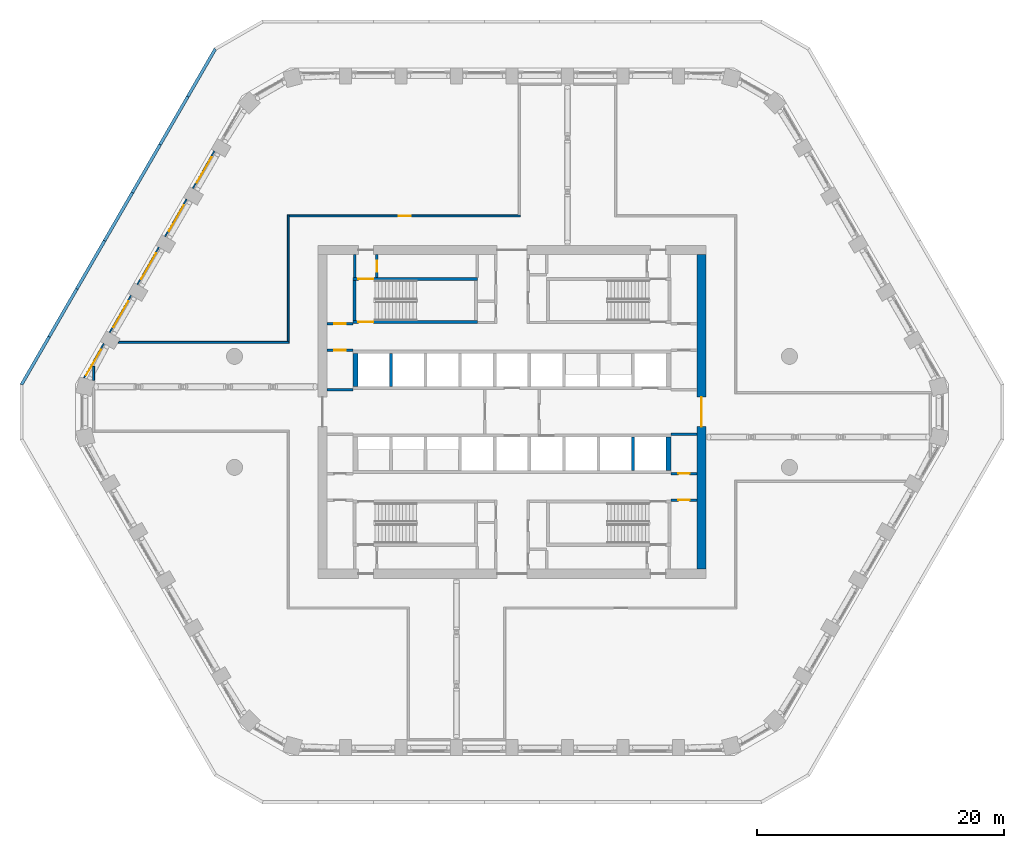
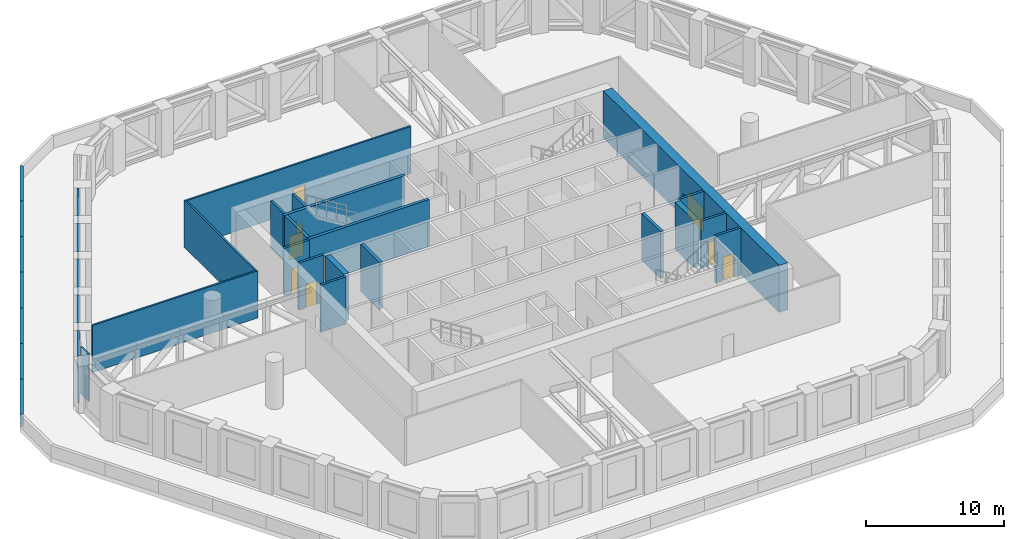
# One storey, part 8 of 18: 32 walls, 9 doors, 5 windows, 14 openings.
"""IFC4 building model written with IfcOpenShell, lengths in metres."""

from ifc_helpers import new_model, si_unit, direction, frame, frame_2d, origin, place, context, subcontext, project, spatial, polyline, rectangle, outline, extrude, material, layer, layer_set, type_object, element, fill, save


model = new_model("IFC4")

# Units and contexts
model_context = context("Model", 3, precision=1e-05, world=origin(), true_north=direction((0.0, 1.0)))
body_context = subcontext(model_context, "Body", "Model", "MODEL_VIEW")
ifc_project = project(units=[si_unit("LENGTHUNIT", "METRE"), si_unit("AREAUNIT", "SQUARE_METRE"), si_unit("VOLUMEUNIT", "CUBIC_METRE"), si_unit("PLANEANGLEUNIT", "RADIAN"), si_unit("MASSUNIT", "GRAM", prefix="KILO")], contexts=[model_context])

# Site, building, storey
site_placement = place(None, origin())
site = spatial("IfcSite", under=ifc_project, at=site_placement, CompositionType="ELEMENT")
building_placement = place(site_placement, origin())
building = spatial("IfcBuilding", under=site, at=building_placement, Name="Dhurran Vertical Campus", CompositionType="ELEMENT")
storey_placement = place(building_placement, frame((0.0, 0.0, 128.10009765625)))
storey = spatial("IfcBuildingStorey", under=building, at=storey_placement, Name="L31 Plant", CompositionType="ELEMENT", Elevation=128.10009765625)

# Wall, opening, window
ifc_material_1 = material(Name="Precast concrete C50/60", Category="concrete")
ifc_layer_1 = layer(ifc_material_1, 0.1201171875)
ifc_layer_set_1 = layer_set([ifc_layer_1], Name="Precast concrete C50/60")
wall_type_1 = type_object("IfcWallType", Name="Precast louvre-bay panel 120", PredefinedType="SOLIDWALL", material=ifc_layer_set_1)
wall_1_placement = place(storey_placement, frame((-24.13330078125, 21.149658203125, 0.0), z_axis=(0.0, 0.0, 1.0), x_axis=(-0.499996256241, -0.866027565234, 0.0)))
wall_1 = element("IfcWall", 1, at=wall_1_placement, inside=storey, type_object=wall_type_1, Name="EW4 L31.33", PredefinedType="SOLIDWALL", context=body_context, shape_type="SweptSolid", body=[
    extrude(rectangle(XDim=3.4990234375, YDim=0.1201171875, at=frame_2d((1.74951171875, 0.0))), origin(), (0.0, 0.0, 1.0), 4.1748046875),
])
opening_1_placement = place(wall_1_placement, frame((0.549560546875, 0.0, 0.60009765625)))
opening_1 = element("IfcOpeningElement", 2, at=opening_1_placement, cuts=wall_1, Name="Opening WT4", PredefinedType="OPENING", context=body_context, shape_type="SweptSolid", body=[
    extrude(rectangle(XDim=2.39990234375, YDim=3.0, at=frame_2d((1.199951171875, 1.5))), frame((0.0, 0.070068359375, 0.0), z_axis=(0.0, -1.0, 0.0), x_axis=(1.0, 0.0, 0.0)), (0.0, 0.0, 1.0), 0.14013671875),
])
ifc_material_2 = material(Name="Aluminium louvre", Category="aluminium")
window_type = type_object("IfcWindowType", Name="Louvred plant vent 2400 x 3000", PartitioningType="SINGLE_PANEL", PredefinedType="WINDOW", material=ifc_material_2)
window_1_placement = place(opening_1_placement, origin())
window_1 = element("IfcWindow", 3, at=window_1_placement, inside=storey, type_object=window_type, Name="WT4 L31.33", OverallHeight=3.0, OverallWidth=2.39990234375, PartitioningType="SINGLE_PANEL", PredefinedType="WINDOW", context=body_context, shape_type="SweptSolid", body=[
    extrude(rectangle(XDim=2.39990234375, YDim=3.0, at=frame_2d((1.199951171875, 1.5))), frame((0.0, 0.06005859375, 0.0), z_axis=(0.0, -1.0, 0.0), x_axis=(1.0, 0.0, 0.0)), (0.0, 0.0, 1.0), 0.02001953125),
])
fill(opening_1, window_1)

wall_2_placement = place(storey_placement, frame((-26.38330078125, 17.252685546875, 0.0), z_axis=(0.0, 0.0, 1.0), x_axis=(-0.499996256241, -0.866027565234, 0.0)))
wall_2 = element("IfcWall", 4, at=wall_2_placement, inside=storey, type_object=wall_type_1, Name="EW4 L31.34", PredefinedType="SOLIDWALL", context=body_context, shape_type="SweptSolid", body=[
    extrude(rectangle(XDim=3.4990234375, YDim=0.1201171875, at=frame_2d((1.74951171875, 0.0))), origin(), (0.0, 0.0, 1.0), 4.1748046875),
])
opening_2_placement = place(wall_2_placement, frame((0.549560546875, 0.0, 0.60009765625)))
opening_2 = element("IfcOpeningElement", 5, at=opening_2_placement, cuts=wall_2, Name="Opening WT4", PredefinedType="OPENING", context=body_context, shape_type="SweptSolid", body=[
    extrude(rectangle(XDim=2.39990234375, YDim=3.0, at=frame_2d((1.199951171875, 1.5))), frame((0.0, 0.070068359375, 0.0), z_axis=(0.0, -1.0, 0.0), x_axis=(1.0, 0.0, 0.0)), (0.0, 0.0, 1.0), 0.14013671875),
])
window_2_placement = place(opening_2_placement, origin())
window_2 = element("IfcWindow", 6, at=window_2_placement, inside=storey, type_object=window_type, Name="WT4 L31.34", OverallHeight=3.0, OverallWidth=2.39990234375, PartitioningType="SINGLE_PANEL", PredefinedType="WINDOW", context=body_context, shape_type="SweptSolid", body=[
    extrude(rectangle(XDim=2.39990234375, YDim=3.0, at=frame_2d((1.199951171875, 1.5))), frame((0.0, 0.06005859375, 0.0), z_axis=(0.0, -1.0, 0.0), x_axis=(1.0, 0.0, 0.0)), (0.0, 0.0, 1.0), 0.02001953125),
])
fill(opening_2, window_2)

wall_3_placement = place(storey_placement, frame((-28.63330078125, 13.35546875, 0.0), z_axis=(0.0, 0.0, 1.0), x_axis=(-0.499996256241, -0.866027565234, 0.0)))
wall_3 = element("IfcWall", 7, at=wall_3_placement, inside=storey, type_object=wall_type_1, Name="EW4 L31.35", PredefinedType="SOLIDWALL", context=body_context, shape_type="SweptSolid", body=[
    extrude(rectangle(XDim=3.4990234375, YDim=0.1201171875, at=frame_2d((1.74951171875, 0.0))), origin(), (0.0, 0.0, 1.0), 4.1748046875),
])
opening_3_placement = place(wall_3_placement, frame((0.549560546875, 0.0, 0.60009765625)))
opening_3 = element("IfcOpeningElement", 8, at=opening_3_placement, cuts=wall_3, Name="Opening WT4", PredefinedType="OPENING", context=body_context, shape_type="SweptSolid", body=[
    extrude(rectangle(XDim=2.39990234375, YDim=3.0, at=frame_2d((1.199951171875, 1.5))), frame((0.0, 0.070068359375, 0.0), z_axis=(0.0, -1.0, 0.0), x_axis=(1.0, 0.0, 0.0)), (0.0, 0.0, 1.0), 0.14013671875),
])
window_3_placement = place(opening_3_placement, origin())
window_3 = element("IfcWindow", 9, at=window_3_placement, inside=storey, type_object=window_type, Name="WT4 L31.35", OverallHeight=3.0, OverallWidth=2.39990234375, PartitioningType="SINGLE_PANEL", PredefinedType="WINDOW", context=body_context, shape_type="SweptSolid", body=[
    extrude(rectangle(XDim=2.39990234375, YDim=3.0, at=frame_2d((1.199951171875, 1.5))), frame((0.0, 0.06005859375, 0.0), z_axis=(0.0, -1.0, 0.0), x_axis=(1.0, 0.0, 0.0)), (0.0, 0.0, 1.0), 0.02001953125),
])
fill(opening_3, window_3)

wall_4_placement = place(storey_placement, frame((-30.88330078125, 9.45849609375, 0.0), z_axis=(0.0, 0.0, 1.0), x_axis=(-0.499996256241, -0.866027565234, 0.0)))
wall_4 = element("IfcWall", 10, at=wall_4_placement, inside=storey, type_object=wall_type_1, Name="EW4 L31.36", PredefinedType="SOLIDWALL", context=body_context, shape_type="SweptSolid", body=[
    extrude(rectangle(XDim=3.4990234375, YDim=0.1201171875, at=frame_2d((1.74951171875, 0.0))), origin(), (0.0, 0.0, 1.0), 4.1748046875),
])
opening_4_placement = place(wall_4_placement, frame((0.549560546875, 0.0, 0.60009765625)))
opening_4 = element("IfcOpeningElement", 11, at=opening_4_placement, cuts=wall_4, Name="Opening WT4", PredefinedType="OPENING", context=body_context, shape_type="SweptSolid", body=[
    extrude(rectangle(XDim=2.39990234375, YDim=3.0, at=frame_2d((1.199951171875, 1.5))), frame((0.0, 0.070068359375, 0.0), z_axis=(0.0, -1.0, 0.0), x_axis=(1.0, 0.0, 0.0)), (0.0, 0.0, 1.0), 0.14013671875),
])
window_4_placement = place(opening_4_placement, origin())
window_4 = element("IfcWindow", 12, at=window_4_placement, inside=storey, type_object=window_type, Name="WT4 L31.36", OverallHeight=3.0, OverallWidth=2.39990234375, PartitioningType="SINGLE_PANEL", PredefinedType="WINDOW", context=body_context, shape_type="SweptSolid", body=[
    extrude(rectangle(XDim=2.39990234375, YDim=3.0, at=frame_2d((1.199951171875, 1.5))), frame((0.0, 0.06005859375, 0.0), z_axis=(0.0, -1.0, 0.0), x_axis=(1.0, 0.0, 0.0)), (0.0, 0.0, 1.0), 0.02001953125),
])
fill(opening_4, window_4)

wall_5_placement = place(storey_placement, frame((-33.099609375, 5.541748046875, 0.0), z_axis=(0.0, 0.0, 1.0), x_axis=(-0.499974205047, -0.866040295995, 0.0)))
wall_5 = element("IfcWall", 13, at=wall_5_placement, inside=storey, type_object=wall_type_1, Name="EW4 L31.37", PredefinedType="SOLIDWALL", context=body_context, shape_type="SweptSolid", body=[
    extrude(rectangle(XDim=3.218017578125, YDim=0.1201171875, at=frame_2d((1.60888671875, 0.0))), origin(), (0.0, 0.0, 1.0), 4.1748046875),
])
opening_5_placement = place(wall_5_placement, frame((0.549560546875, 0.0, 0.60009765625)))
opening_5 = element("IfcOpeningElement", 14, at=opening_5_placement, cuts=wall_5, Name="Opening WT4", PredefinedType="OPENING", context=body_context, shape_type="SweptSolid", body=[
    extrude(rectangle(XDim=2.39990234375, YDim=3.0, at=frame_2d((1.199951171875, 1.5))), frame((0.0, 0.070068359375, 0.0), z_axis=(0.0, -1.0, 0.0), x_axis=(1.0, 0.0, 0.0)), (0.0, 0.0, 1.0), 0.14013671875),
])
window_5_placement = place(opening_5_placement, origin())
window_5 = element("IfcWindow", 15, at=window_5_placement, inside=storey, type_object=window_type, Name="WT4 L31.37", OverallHeight=3.0, OverallWidth=2.39990234375, PartitioningType="SINGLE_PANEL", PredefinedType="WINDOW", context=body_context, shape_type="SweptSolid", body=[
    extrude(rectangle(XDim=2.39990234375, YDim=3.0, at=frame_2d((1.199951171875, 1.5))), frame((0.0, 0.06005859375, 0.0), z_axis=(0.0, -1.0, 0.0), x_axis=(1.0, 0.0, 0.0)), (0.0, 0.0, 1.0), 0.02001953125),
])
fill(opening_5, window_5)

# Walls
ifc_material_3 = material(Name="Precast concrete C50/60", Category="concrete")
ifc_layer_2 = layer(ifc_material_3, 0.25)
ifc_layer_set_2 = layer_set([ifc_layer_2], Name="Precast concrete C50/60")
wall_type_2 = type_object("IfcWallType", Name="Precast parapet 250", PredefinedType="PARAPET", material=ifc_layer_set_2)
wall_6_placement = place(storey_placement, origin())
element("IfcWall", 16, at=wall_6_placement, inside=storey, type_object=wall_type_2, Name="PW1 L31.36", PredefinedType="PARAPET", context=body_context, shape_type="SweptSolid", body=[
    extrude(outline(polyline([(-24.147216796875, 29.52978515625), (-26.397216796875, 25.6328125), (-26.1806640625, 25.5078125), (-23.964111328125, 29.3466796875), (-24.147216796875, 29.52978515625)])), origin(), (0.0, 0.0, 1.0), 1.099853515625),
])
wall_7_placement = place(storey_placement, origin())
element("IfcWall", 17, at=wall_7_placement, inside=storey, type_object=wall_type_2, Name="PW1 L31.37", PredefinedType="PARAPET", context=body_context, shape_type="SweptSolid", body=[
    extrude(outline(polyline([(-26.397216796875, 25.6328125), (-28.647216796875, 21.735595703125), (-28.4306640625, 21.610595703125), (-26.1806640625, 25.5078125), (-26.397216796875, 25.6328125)])), origin(), (0.0, 0.0, 1.0), 1.099853515625),
])
wall_8_placement = place(storey_placement, origin())
element("IfcWall", 18, at=wall_8_placement, inside=storey, type_object=wall_type_2, Name="PW1 L31.38", PredefinedType="PARAPET", context=body_context, shape_type="SweptSolid", body=[
    extrude(outline(polyline([(-28.647216796875, 21.735595703125), (-30.897216796875, 17.83837890625), (-30.6806640625, 17.71337890625), (-28.4306640625, 21.610595703125), (-28.647216796875, 21.735595703125)])), origin(), (0.0, 0.0, 1.0), 1.099853515625),
])
wall_9_placement = place(storey_placement, origin())
element("IfcWall", 19, at=wall_9_placement, inside=storey, type_object=wall_type_2, Name="PW1 L31.39", PredefinedType="PARAPET", context=body_context, shape_type="SweptSolid", body=[
    extrude(outline(polyline([(-30.897216796875, 17.83837890625), (-33.147216796875, 13.94140625), (-32.9306640625, 13.81640625), (-30.6806640625, 17.71337890625), (-30.897216796875, 17.83837890625)])), origin(), (0.0, 0.0, 1.0), 1.099853515625),
])
wall_10_placement = place(storey_placement, origin())
element("IfcWall", 20, at=wall_10_placement, inside=storey, type_object=wall_type_2, Name="PW1 L31.40", PredefinedType="PARAPET", context=body_context, shape_type="SweptSolid", body=[
    extrude(outline(polyline([(-33.147216796875, 13.94140625), (-35.397216796875, 10.044189453125), (-35.1806640625, 9.919189453125), (-32.9306640625, 13.81640625), (-33.147216796875, 13.94140625)])), origin(), (0.0, 0.0, 1.0), 1.099853515625),
])
wall_11_placement = place(storey_placement, origin())
element("IfcWall", 21, at=wall_11_placement, inside=storey, type_object=wall_type_2, Name="PW1 L31.41", PredefinedType="PARAPET", context=body_context, shape_type="SweptSolid", body=[
    extrude(outline(polyline([(-35.397216796875, 10.044189453125), (-37.647216796875, 6.147216796875), (-37.4306640625, 6.022216796875), (-35.1806640625, 9.919189453125), (-35.397216796875, 10.044189453125)])), origin(), (0.0, 0.0, 1.0), 1.099853515625),
])
wall_12_placement = place(storey_placement, origin())
element("IfcWall", 22, at=wall_12_placement, inside=storey, type_object=wall_type_2, Name="PW1 L31.42", PredefinedType="PARAPET", context=body_context, shape_type="SweptSolid", body=[
    extrude(outline(polyline([(-37.647216796875, 6.147216796875), (-39.897216796875, 2.25), (-39.647216796875, 2.18310546875), (-37.4306640625, 6.022216796875), (-37.647216796875, 6.147216796875)])), origin(), (0.0, 0.0, 1.0), 1.099853515625),
])

# Wall, opening, door
ifc_material_4 = material(Name="Concrete C60/75", Category="concrete")
ifc_layer_3 = layer(ifc_material_4, 0.75)
ifc_layer_set_3 = layer_set([ifc_layer_3], Name="Concrete C60/75")
wall_type_3 = type_object("IfcWallType", Name="co-CORE-WALL-C1-750", PredefinedType="SHEAR", material=ifc_layer_set_3)
wall_13_placement = place(storey_placement, frame((15.375, -12.75, 0.0), z_axis=(0.0, 0.0, 1.0), x_axis=(0.0, 1.0, 0.0)))
wall_13 = element("IfcWall", 23, at=wall_13_placement, inside=storey, type_object=wall_type_3, Name="Core wall E L31", PredefinedType="SHEAR", context=body_context, shape_type="SweptSolid", body=[
    extrude(rectangle(XDim=25.5, YDim=0.75, at=frame_2d((12.75, 0.0))), origin(), (0.0, 0.0, 1.0), 4.1748046875),
])
opening_6_placement = place(wall_13_placement, frame((11.550048828125, 0.0, 0.0)))
opening_6 = element("IfcOpeningElement", 24, at=opening_6_placement, cuts=wall_13, Name="Opening CL2", PredefinedType="OPENING", context=body_context, shape_type="SweptSolid", body=[
    extrude(rectangle(XDim=2.39990234375, YDim=2.10009765625, at=frame_2d((1.199951171875, 1.050048828125))), frame((0.0, 0.385009765625, 0.0), z_axis=(0.0, -1.0, 0.0), x_axis=(1.0, 0.0, 0.0)), (0.0, 0.0, 1.0), 0.77001953125),
])
ifc_material_5 = material(Name="Fire-rated glazed door set")
door_type_1 = type_object("IfcDoorType", Name="co-D-LOBBY 2400x2100", OperationType="DOUBLE_DOOR_DOUBLE_SWING", PredefinedType="DOOR", material=ifc_material_5)
door_1_placement = place(opening_6_placement, origin())
door_1 = element("IfcDoor", 25, at=door_1_placement, inside=storey, type_object=door_type_1, Name="Lift lobby door E L31", OperationType="DOUBLE_DOOR_DOUBLE_SWING", OverallHeight=2.10009765625, OverallWidth=2.39990234375, PredefinedType="DOOR", context=body_context, shape_type="SweptSolid", body=[
    extrude(rectangle(XDim=2.39990234375, YDim=2.10009765625, at=frame_2d((1.199951171875, 1.050048828125))), frame((0.0, 0.02490234375, 0.0), z_axis=(0.0, -1.0, 0.0), x_axis=(1.0, 0.0, 0.0)), (0.0, 0.0, 1.0), 0.050048828125),
])
fill(opening_6, door_1)

# Wall
ifc_material_6 = material(Name="Fire-rated masonry blockwork", Category="masonry")
ifc_layer_4 = layer(ifc_material_6, 0.199951171875)
ifc_layer_set_4 = layer_set([ifc_layer_4], Name="Fire-rated masonry blockwork")
wall_type_4 = type_object("IfcWallType", Name="co-FIRE-PARTITION-200", PredefinedType="PARTITIONING", material=ifc_layer_set_4)
wall_14_placement = place(storey_placement, frame((-12.75, 10.89990234375, 0.0), z_axis=(0.0, 0.0, 1.0), x_axis=(0.0, 1.0, 0.0)))
element("IfcWall", 26, at=wall_14_placement, inside=storey, type_object=wall_type_4, Name="Core partition pass-ST1-o L31", PredefinedType="PARTITIONING", context=body_context, shape_type="SweptSolid", body=[
    extrude(rectangle(XDim=1.85009765625, YDim=0.199951171875, at=frame_2d((0.925048828125, 0.0))), origin(), (0.0, 0.0, 1.0), 4.1748046875),
])

# Wall, opening, door
wall_15_placement = place(storey_placement, frame((-10.949951171875, 10.89990234375, 0.0), z_axis=(0.0, 0.0, 1.0), x_axis=(0.0, 1.0, 0.0)))
wall_15 = element("IfcWall", 27, at=wall_15_placement, inside=storey, type_object=wall_type_4, Name="Core partition pass-ST1-i L31", PredefinedType="PARTITIONING", context=body_context, shape_type="SweptSolid", body=[
    extrude(rectangle(XDim=1.85009765625, YDim=0.199951171875, at=frame_2d((0.925048828125, 0.0))), origin(), (0.0, 0.0, 1.0), 4.1748046875),
])
opening_7_placement = place(wall_15_placement, frame((0.47509765625, 0.0, 0.0)))
opening_7 = element("IfcOpeningElement", 28, at=opening_7_placement, cuts=wall_15, Name="Opening BR31-C9", PredefinedType="OPENING", context=body_context, shape_type="SweptSolid", body=[
    extrude(rectangle(XDim=0.89990234375, YDim=2.10009765625, at=frame_2d((0.449951171875, 1.050048828125))), frame((0.0, 0.10986328125, 0.0), z_axis=(0.0, -1.0, 0.0), x_axis=(1.0, 0.0, 0.0)), (0.0, 0.0, 1.0), 0.219970703125),
])
ifc_material_7 = material(Name="Fire-rated timber door set", Category="wood")
door_type_2 = type_object("IfcDoorType", Name="co-D-ROOM 900x2100", OperationType="SINGLE_SWING_LEFT", PredefinedType="DOOR", material=ifc_material_7)
door_2_placement = place(opening_7_placement, origin())
door_2 = element("IfcDoor", 29, at=door_2_placement, inside=storey, type_object=door_type_2, Name="Riser room door L31", OperationType="SINGLE_SWING_LEFT", OverallHeight=2.10009765625, OverallWidth=0.89990234375, PredefinedType="DOOR", context=body_context, shape_type="SweptSolid", body=[
    extrude(rectangle(XDim=0.89990234375, YDim=2.10009765625, at=frame_2d((0.449951171875, 1.050048828125))), frame((0.0, 0.02490234375, 0.0), z_axis=(0.0, -1.0, 0.0), x_axis=(1.0, 0.0, 0.0)), (0.0, 0.0, 1.0), 0.050048828125),
])
fill(opening_7, door_2)

wall_16_placement = place(storey_placement, frame((-15.0, 7.14990234375, 0.0), z_axis=(0.0, 0.0, 1.0), x_axis=(1.0, 0.0, 0.0)))
wall_16 = element("IfcWall", 30, at=wall_16_placement, inside=storey, type_object=wall_type_4, Name="Core partition en-NW-w L31", PredefinedType="PARTITIONING", context=body_context, shape_type="SweptSolid", body=[
    extrude(rectangle(XDim=2.10009765625, YDim=0.199951171875, at=frame_2d((1.050048828125, 0.0))), origin(), (0.0, 0.0, 1.0), 4.1748046875),
])
opening_8_placement = place(wall_16_placement, frame((0.60009765625, 0.0, 0.0)))
opening_8 = element("IfcOpeningElement", 31, at=opening_8_placement, cuts=wall_16, Name="Opening BR31-C13", PredefinedType="OPENING", context=body_context, shape_type="SweptSolid", body=[
    extrude(rectangle(XDim=0.89990234375, YDim=2.10009765625, at=frame_2d((0.449951171875, 1.050048828125))), frame((0.0, 0.10986328125, 0.0), z_axis=(0.0, -1.0, 0.0), x_axis=(1.0, 0.0, 0.0)), (0.0, 0.0, 1.0), 0.219970703125),
])
door_3_placement = place(opening_8_placement, origin())
door_3 = element("IfcDoor", 32, at=door_3_placement, inside=storey, type_object=door_type_2, Name="Pump room door L31", OperationType="SINGLE_SWING_LEFT", OverallHeight=2.10009765625, OverallWidth=0.89990234375, PredefinedType="DOOR", context=body_context, shape_type="SweptSolid", body=[
    extrude(rectangle(XDim=0.89990234375, YDim=2.10009765625, at=frame_2d((0.449951171875, 1.050048828125))), frame((0.0, 0.02490234375, 0.0), z_axis=(0.0, -1.0, 0.0), x_axis=(1.0, 0.0, 0.0)), (0.0, 0.0, 1.0), 0.050048828125),
])
fill(opening_8, door_3)

wall_17_placement = place(storey_placement, frame((-15.0, 5.0, 0.0), z_axis=(0.0, 0.0, 1.0), x_axis=(1.0, 0.0, 0.0)))
wall_17 = element("IfcWall", 33, at=wall_17_placement, inside=storey, type_object=wall_type_4, Name="Core partition es-NW-w L31", PredefinedType="PARTITIONING", context=body_context, shape_type="SweptSolid", body=[
    extrude(rectangle(XDim=2.10009765625, YDim=0.199951171875, at=frame_2d((1.050048828125, 0.0))), origin(), (0.0, 0.0, 1.0), 4.1748046875),
])
opening_9_placement = place(wall_17_placement, frame((0.60009765625, 0.0, 0.0)))
opening_9 = element("IfcOpeningElement", 34, at=opening_9_placement, cuts=wall_17, Name="Opening BR31-C14", PredefinedType="OPENING", context=body_context, shape_type="SweptSolid", body=[
    extrude(rectangle(XDim=0.89990234375, YDim=2.10009765625, at=frame_2d((0.449951171875, 1.050048828125))), frame((0.0, 0.10986328125, 0.0), z_axis=(0.0, -1.0, 0.0), x_axis=(1.0, 0.0, 0.0)), (0.0, 0.0, 1.0), 0.219970703125),
])
door_4_placement = place(opening_9_placement, origin())
door_4 = element("IfcDoor", 35, at=door_4_placement, inside=storey, type_object=door_type_2, Name="Air handling plant room door L31", OperationType="SINGLE_SWING_LEFT", OverallHeight=2.10009765625, OverallWidth=0.89990234375, PredefinedType="DOOR", context=body_context, shape_type="SweptSolid", body=[
    extrude(rectangle(XDim=0.89990234375, YDim=2.10009765625, at=frame_2d((0.449951171875, 1.050048828125))), frame((0.0, 0.02490234375, 0.0), z_axis=(0.0, -1.0, 0.0), x_axis=(1.0, 0.0, 0.0)), (0.0, 0.0, 1.0), 0.050048828125),
])
fill(opening_9, door_4)

# Wall
wall_18_placement = place(storey_placement, frame((-15.0, 1.800048828125, 0.0), z_axis=(0.0, 0.0, 1.0), x_axis=(1.0, 0.0, 0.0)))
element("IfcWall", 36, at=wall_18_placement, inside=storey, type_object=wall_type_4, Name="Core partition es-NW-l L31", PredefinedType="PARTITIONING", context=body_context, shape_type="SweptSolid", body=[
    extrude(rectangle(XDim=2.10009765625, YDim=0.199951171875, at=frame_2d((1.050048828125, 0.0))), origin(), (0.0, 0.0, 1.0), 4.1748046875),
])

# Wall, opening, door
wall_19_placement = place(storey_placement, frame((12.89990234375, -7.14990234375, 0.0), z_axis=(0.0, 0.0, 1.0), x_axis=(1.0, 0.0, 0.0)))
wall_19 = element("IfcWall", 37, at=wall_19_placement, inside=storey, type_object=wall_type_4, Name="Core partition en-SE-w L31", PredefinedType="PARTITIONING", context=body_context, shape_type="SweptSolid", body=[
    extrude(rectangle(XDim=2.10009765625, YDim=0.199951171875, at=frame_2d((1.050048828125, 0.0))), origin(), (0.0, 0.0, 1.0), 4.1748046875),
])
opening_10_placement = place(wall_19_placement, frame((0.60009765625, 0.0, 0.0)))
opening_10 = element("IfcOpeningElement", 38, at=opening_10_placement, cuts=wall_19, Name="Opening BR31-C19", PredefinedType="OPENING", context=body_context, shape_type="SweptSolid", body=[
    extrude(rectangle(XDim=0.89990234375, YDim=2.10009765625, at=frame_2d((0.449951171875, 1.050048828125))), frame((0.0, 0.10986328125, 0.0), z_axis=(0.0, -1.0, 0.0), x_axis=(1.0, 0.0, 0.0)), (0.0, 0.0, 1.0), 0.219970703125),
])
door_5_placement = place(opening_10_placement, origin())
door_5 = element("IfcDoor", 39, at=door_5_placement, inside=storey, type_object=door_type_2, Name="Refuge area door L31", OperationType="SINGLE_SWING_LEFT", OverallHeight=2.10009765625, OverallWidth=0.89990234375, PredefinedType="DOOR", context=body_context, shape_type="SweptSolid", body=[
    extrude(rectangle(XDim=0.89990234375, YDim=2.10009765625, at=frame_2d((0.449951171875, 1.050048828125))), frame((0.0, 0.02490234375, 0.0), z_axis=(0.0, -1.0, 0.0), x_axis=(1.0, 0.0, 0.0)), (0.0, 0.0, 1.0), 0.050048828125),
])
fill(opening_10, door_5)

wall_20_placement = place(storey_placement, frame((12.89990234375, -5.0, 0.0), z_axis=(0.0, 0.0, 1.0), x_axis=(1.0, 0.0, 0.0)))
wall_20 = element("IfcWall", 40, at=wall_20_placement, inside=storey, type_object=wall_type_4, Name="Core partition es-SE-w L31", PredefinedType="PARTITIONING", context=body_context, shape_type="SweptSolid", body=[
    extrude(rectangle(XDim=2.10009765625, YDim=0.199951171875, at=frame_2d((1.050048828125, 0.0))), origin(), (0.0, 0.0, 1.0), 4.1748046875),
])
opening_11_placement = place(wall_20_placement, frame((0.60009765625, 0.0, 0.0)))
opening_11 = element("IfcOpeningElement", 41, at=opening_11_placement, cuts=wall_20, Name="Opening BR31-C20", PredefinedType="OPENING", context=body_context, shape_type="SweptSolid", body=[
    extrude(rectangle(XDim=0.89990234375, YDim=2.10009765625, at=frame_2d((0.449951171875, 1.050048828125))), frame((0.0, 0.10986328125, 0.0), z_axis=(0.0, -1.0, 0.0), x_axis=(1.0, 0.0, 0.0)), (0.0, 0.0, 1.0), 0.219970703125),
])
door_6_placement = place(opening_11_placement, origin())
door_6 = element("IfcDoor", 42, at=door_6_placement, inside=storey, type_object=door_type_2, Name="Sprinkler valve room door L31", OperationType="SINGLE_SWING_LEFT", OverallHeight=2.10009765625, OverallWidth=0.89990234375, PredefinedType="DOOR", context=body_context, shape_type="SweptSolid", body=[
    extrude(rectangle(XDim=0.89990234375, YDim=2.10009765625, at=frame_2d((0.449951171875, 1.050048828125))), frame((0.0, 0.02490234375, 0.0), z_axis=(0.0, -1.0, 0.0), x_axis=(1.0, 0.0, 0.0)), (0.0, 0.0, 1.0), 0.050048828125),
])
fill(opening_11, door_6)

# Walls
wall_21_placement = place(storey_placement, frame((12.89990234375, -1.800048828125, 0.0), z_axis=(0.0, 0.0, 1.0), x_axis=(1.0, 0.0, 0.0)))
element("IfcWall", 43, at=wall_21_placement, inside=storey, type_object=wall_type_4, Name="Core partition es-SE-l L31", PredefinedType="PARTITIONING", context=body_context, shape_type="SweptSolid", body=[
    extrude(rectangle(XDim=2.10009765625, YDim=0.199951171875, at=frame_2d((1.050048828125, 0.0))), origin(), (0.0, 0.0, 1.0), 4.1748046875),
])
ifc_material_8 = material(Name="Concrete C50/60", Category="concrete")
ifc_layer_5 = layer(ifc_material_8, 0.25)
ifc_layer_set_5 = layer_set([ifc_layer_5], Name="Concrete C50/60")
wall_type_5 = type_object("IfcWallType", Name="co-SHAFT-MASS-250", PredefinedType="SHEAR", material=ifc_layer_set_5)
wall_22_placement = place(storey_placement, origin())
element("IfcWall", 44, at=wall_22_placement, inside=storey, type_object=wall_type_5, Name="Lift shaft wall N L31 2", PredefinedType="SHEAR", context=body_context, shape_type="SweptSolid", body=[
    extrude(outline(polyline([(-12.89990234375, 2.050048828125), (-12.47509765625, 2.050048828125), (-12.47509765625, 4.75), (-12.89990234375, 4.75), (-12.89990234375, 2.050048828125)])), origin(), (0.0, 0.0, 1.0), 4.1748046875),
])
wall_23_placement = place(storey_placement, origin())
element("IfcWall", 45, at=wall_23_placement, inside=storey, type_object=wall_type_5, Name="Lift shaft wall N L31 3", PredefinedType="SHEAR", context=body_context, shape_type="SweptSolid", body=[
    extrude(outline(polyline([(-9.925048828125, 2.050048828125), (-9.675048828125, 2.050048828125), (-9.675048828125, 4.75), (-9.925048828125, 4.75), (-9.925048828125, 2.050048828125)])), origin(), (0.0, 0.0, 1.0), 4.1748046875),
])
wall_24_placement = place(storey_placement, origin())
element("IfcWall", 46, at=wall_24_placement, inside=storey, type_object=wall_type_5, Name="Lift shaft wall S L31 10", PredefinedType="SHEAR", context=body_context, shape_type="SweptSolid", body=[
    extrude(outline(polyline([(9.675048828125, -4.75), (9.925048828125, -4.75), (9.925048828125, -2.050048828125), (9.675048828125, -2.050048828125), (9.675048828125, -4.75)])), origin(), (0.0, 0.0, 1.0), 4.1748046875),
])
wall_25_placement = place(storey_placement, origin())
element("IfcWall", 47, at=wall_25_placement, inside=storey, type_object=wall_type_5, Name="Lift shaft wall S L31 11", PredefinedType="SHEAR", context=body_context, shape_type="SweptSolid", body=[
    extrude(outline(polyline([(12.47509765625, -4.75), (12.89990234375, -4.75), (12.89990234375, -2.050048828125), (12.47509765625, -2.050048828125), (12.47509765625, -4.75)])), origin(), (0.0, 0.0, 1.0), 4.1748046875),
])

# Wall, opening, door
ifc_material_9 = material(Name="Concrete C40/50", Category="concrete")
ifc_layer_6 = layer(ifc_material_9, 0.25)
ifc_layer_set_6 = layer_set([ifc_layer_6], Name="Concrete C40/50")
wall_type_6 = type_object("IfcWallType", Name="co-STAIR-WALL-250", PredefinedType="SHEAR", material=ifc_layer_set_6)
wall_26_placement = place(storey_placement, frame((-12.89990234375, 7.27490234375, 0.0), z_axis=(0.0, 0.0, 1.0), x_axis=(1.0, 0.0, 0.0)))
wall_26 = element("IfcWall", 48, at=wall_26_placement, inside=storey, type_object=wall_type_6, Name="Stair ST1 enclosure wall L31", PredefinedType="SHEAR", context=body_context, shape_type="SweptSolid", body=[
    extrude(rectangle(XDim=10.099853515625, YDim=0.25, at=frame_2d((5.0498046875, 0.0))), origin(), (0.0, 0.0, 1.0), 4.1748046875),
])
opening_12_placement = place(wall_26_placement, frame((0.449951171875, 0.0, 0.0)))
opening_12 = element("IfcOpeningElement", 49, at=opening_12_placement, cuts=wall_26, Name="Opening SD1", PredefinedType="OPENING", context=body_context, shape_type="SweptSolid", body=[
    extrude(rectangle(XDim=1.199951171875, YDim=2.10009765625, at=frame_2d((0.60009765625, 1.050048828125))), frame((0.0, 0.135009765625, 0.0), z_axis=(0.0, -1.0, 0.0), x_axis=(1.0, 0.0, 0.0)), (0.0, 0.0, 1.0), 0.27001953125),
])
ifc_material_10 = material(Name="Fire-rated steel door set", Category="steel")
door_type_3 = type_object("IfcDoorType", Name="co-D-STAIR 1200x2100", OperationType="SINGLE_SWING_LEFT", PredefinedType="DOOR", material=ifc_material_10)
door_7_placement = place(opening_12_placement, origin())
door_7 = element("IfcDoor", 50, at=door_7_placement, inside=storey, type_object=door_type_3, Name="Stair ST1 door L31", OperationType="SINGLE_SWING_LEFT", OverallHeight=2.10009765625, OverallWidth=1.199951171875, PredefinedType="DOOR", context=body_context, shape_type="SweptSolid", body=[
    extrude(rectangle(XDim=1.199951171875, YDim=2.10009765625, at=frame_2d((0.60009765625, 1.050048828125))), frame((0.0, 0.02490234375, 0.0), z_axis=(0.0, -1.0, 0.0), x_axis=(1.0, 0.0, 0.0)), (0.0, 0.0, 1.0), 0.050048828125),
])
fill(opening_12, door_7)

wall_27_placement = place(storey_placement, frame((-12.89990234375, 10.77490234375, 0.0), z_axis=(0.0, 0.0, 1.0), x_axis=(1.0, 0.0, 0.0)))
wall_27 = element("IfcWall", 51, at=wall_27_placement, inside=storey, type_object=wall_type_6, Name="Stair ST1 enclosure wall L31", PredefinedType="SHEAR", context=body_context, shape_type="SweptSolid", body=[
    extrude(rectangle(XDim=10.099853515625, YDim=0.25, at=frame_2d((5.0498046875, 0.0))), origin(), (0.0, 0.0, 1.0), 4.1748046875),
])
opening_13_placement = place(wall_27_placement, frame((0.449951171875, 0.0, 0.0)))
opening_13 = element("IfcOpeningElement", 52, at=opening_13_placement, cuts=wall_27, Name="Opening XS1", PredefinedType="OPENING", context=body_context, shape_type="SweptSolid", body=[
    extrude(rectangle(XDim=1.199951171875, YDim=2.10009765625, at=frame_2d((0.60009765625, 1.050048828125))), frame((0.0, 0.135009765625, 0.0), z_axis=(0.0, -1.0, 0.0), x_axis=(1.0, 0.0, 0.0)), (0.0, 0.0, 1.0), 0.27001953125),
])
ifc_material_11 = material(Name="Fire-rated steel door set", Category="steel")
door_type_4 = type_object("IfcDoorType", Name="co-D-STAIR-EXIT 1200x2100", OperationType="SINGLE_SWING_RIGHT", PredefinedType="DOOR", material=ifc_material_11)
door_8_placement = place(opening_13_placement, origin())
door_8 = element("IfcDoor", 53, at=door_8_placement, inside=storey, type_object=door_type_4, Name="Stair ST1 discharge door L31", OperationType="SINGLE_SWING_RIGHT", OverallHeight=2.10009765625, OverallWidth=1.199951171875, PredefinedType="DOOR", context=body_context, shape_type="SweptSolid", body=[
    extrude(rectangle(XDim=1.199951171875, YDim=2.10009765625, at=frame_2d((0.60009765625, 1.050048828125))), frame((0.0, 0.02490234375, 0.0), z_axis=(0.0, -1.0, 0.0), x_axis=(1.0, 0.0, 0.0)), (0.0, 0.0, 1.0), 0.050048828125),
])
fill(opening_13, door_8)

# Walls
wall_28_placement = place(storey_placement, frame((-12.77490234375, 7.39990234375, 0.0), z_axis=(0.0, 0.0, 1.0), x_axis=(0.0, 1.0, 0.0)))
element("IfcWall", 54, at=wall_28_placement, inside=storey, type_object=wall_type_6, Name="Stair ST1 enclosure wall L31", PredefinedType="SHEAR", context=body_context, shape_type="SweptSolid", body=[
    extrude(rectangle(XDim=3.25, YDim=0.25, at=frame_2d((1.625, 0.0))), origin(), (0.0, 0.0, 1.0), 4.1748046875),
])
ifc_material_12 = material(Name="Gypsum board corridor wall on steel studs", Category="steel")
ifc_layer_7 = layer(ifc_material_12, 0.14990234375)
ifc_layer_set_7 = layer_set([ifc_layer_7], Name="Gypsum board corridor wall on steel studs")
wall_type_7 = type_object("IfcWallType", Name="fl-CW-150 corridor wall", PredefinedType="PARTITIONING", material=ifc_layer_set_7)
wall_29_placement = place(storey_placement, frame((-33.927978515625, 2.550048828125, 0.0), z_axis=(0.0, 0.0, 1.0), x_axis=(0.0, 1.0, 0.0)))
element("IfcWall", 55, at=wall_29_placement, inside=storey, type_object=wall_type_7, Name="Partition 31-02", PredefinedType="PARTITIONING", context=body_context, shape_type="SweptSolid", body=[
    extrude(rectangle(XDim=1.14501953125, YDim=0.14990234375, at=frame_2d((0.572509765625, 0.0))), origin(), (0.0, 0.0, 1.0), 4.1748046875),
])
wall_30_placement = place(storey_placement, frame((-31.91748046875, 5.636962890625, 0.0), z_axis=(0.0, 0.0, 1.0), x_axis=(1.0, 0.0, 0.0)))
element("IfcWall", 56, at=wall_30_placement, inside=storey, type_object=wall_type_7, Name="Partition 31-04", PredefinedType="PARTITIONING", context=body_context, shape_type="SweptSolid", body=[
    extrude(rectangle(XDim=13.842529296875, YDim=0.14990234375, at=frame_2d((6.92138671875, 0.0))), origin(), (0.0, 0.0, 1.0), 4.1748046875),
])
wall_31_placement = place(storey_placement, frame((-18.14990234375, 15.97509765625, 0.0), z_axis=(0.0, 0.0, 1.0), x_axis=(0.0, -1.0, 0.0)))
element("IfcWall", 57, at=wall_31_placement, inside=storey, type_object=wall_type_7, Name="Partition 31-07", PredefinedType="PARTITIONING", context=body_context, shape_type="SweptSolid", body=[
    extrude(rectangle(XDim=10.26318359375, YDim=0.14990234375, at=frame_2d((5.131591796875, 0.0))), origin(), (0.0, 0.0, 1.0), 4.1748046875),
])

# Wall, opening, door
wall_32_placement = place(storey_placement, frame((0.675048828125, 15.89990234375, 0.0), z_axis=(0.0, 0.0, 1.0), x_axis=(-1.0, 0.0, 0.0)))
wall_32 = element("IfcWall", 58, at=wall_32_placement, inside=storey, type_object=wall_type_7, Name="Partition 31-08", PredefinedType="PARTITIONING", context=body_context, shape_type="SweptSolid", body=[
    extrude(rectangle(XDim=18.75, YDim=0.14990234375, at=frame_2d((9.375, 0.0))), origin(), (0.0, 0.0, 1.0), 4.1748046875),
])
opening_14_placement = place(wall_32_placement, frame((8.875, 0.0, 0.0)))
opening_14 = element("IfcOpeningElement", 59, at=opening_14_placement, cuts=wall_32, Name="Opening BR31.02", PredefinedType="OPENING", context=body_context, shape_type="SweptSolid", body=[
    extrude(rectangle(XDim=1.0, YDim=2.10009765625, at=frame_2d((0.5, 1.050048828125))), frame((0.0, 0.0849609375, 0.0), z_axis=(0.0, -1.0, 0.0), x_axis=(1.0, 0.0, 0.0)), (0.0, 0.0, 1.0), 0.169921875),
])
ifc_material_13 = material(Name="Solid-core timber door set, fire-rated", Category="wood")
door_type_5 = type_object("IfcDoorType", Name="fl-D-1000x2100", OperationType="SINGLE_SWING_LEFT", PredefinedType="DOOR", material=ifc_material_13)
door_9_placement = place(opening_14_placement, origin())
door_9 = element("IfcDoor", 60, at=door_9_placement, inside=storey, type_object=door_type_5, Name="Door 31.02", OperationType="SINGLE_SWING_RIGHT", OverallHeight=2.10009765625, OverallWidth=1.0, PredefinedType="DOOR", context=body_context, shape_type="SweptSolid", body=[
    extrude(rectangle(XDim=1.0, YDim=2.10009765625, at=frame_2d((0.5, 1.050048828125))), frame((0.0, 0.02490234375, 0.0), z_axis=(0.0, -1.0, 0.0), x_axis=(1.0, 0.0, 0.0)), (0.0, 0.0, 1.0), 0.050048828125),
])
fill(opening_14, door_9)

save(model, "model.ifc")
